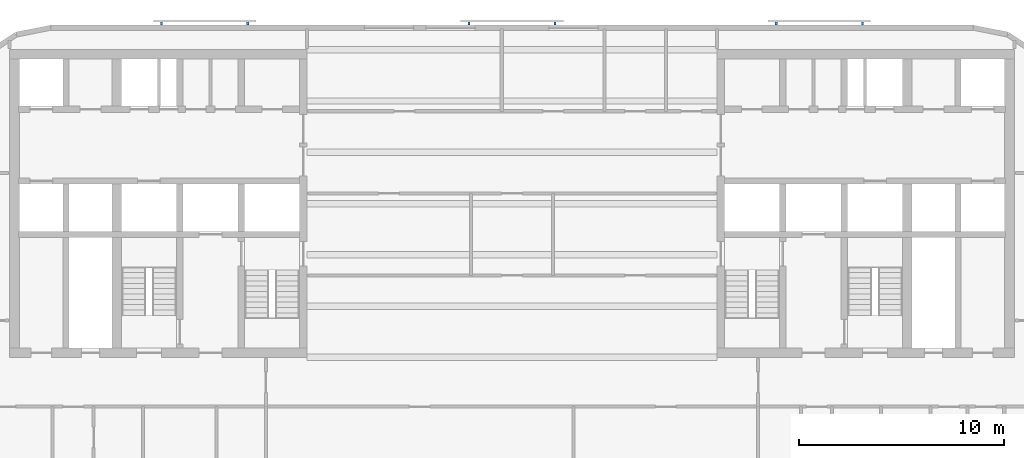
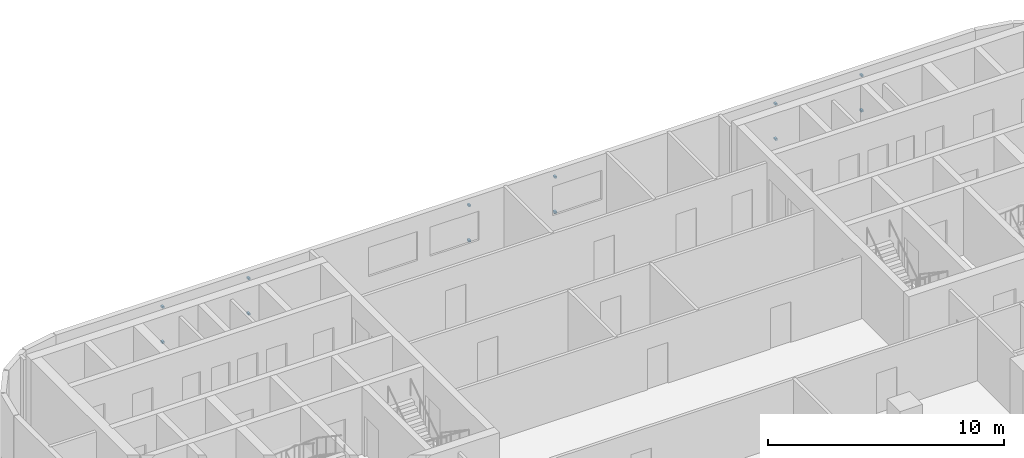
# One storey, part 8 of 11: 12 discrete accessories.
"""IFC4 building model written with IfcOpenShell, lengths in metres."""

from ifc_helpers import new_model, si_unit, direction, frame, origin, origin_2d, place, context, subcontext, project, spatial, rectangle, extrude, material, type_object, element, save


model = new_model("IFC4")

# Units and contexts
model_context = context("Model", 3, precision=1e-05, world=origin(), true_north=direction((0.0, 1.0)))
body_context = subcontext(model_context, "Body", "Model", "MODEL_VIEW")
ifc_project = project(units=[si_unit("LENGTHUNIT", "METRE"), si_unit("AREAUNIT", "SQUARE_METRE"), si_unit("VOLUMEUNIT", "CUBIC_METRE"), si_unit("PLANEANGLEUNIT", "RADIAN"), si_unit("MASSUNIT", "GRAM", prefix="KILO")], contexts=[model_context])

# Site, building, storey
site_placement = place(None, origin())
site = spatial("IfcSite", under=ifc_project, at=site_placement, CompositionType="ELEMENT")
building_placement = place(site_placement, origin())
building = spatial("IfcBuilding", under=site, at=building_placement, Name="Torana Hotel and Residences", CompositionType="ELEMENT")
storey_placement = place(building_placement, frame((0.0, 0.0, 211.60009765625)))
storey = spatial("IfcBuildingStorey", under=building, at=storey_placement, Name="L55", CompositionType="ELEMENT", Elevation=211.60009765625)

# Discrete accessories
ifc_material = material(Name="Steel S355", Category="steel")
discrete_accessory_type = type_object("IfcDiscreteAccessoryType", Name="SCREEN BRACKET 100", PredefinedType="BRACKET", material=ifc_material)
for number, where, z_axis, x_axis, name in (
    (1, (17.08349609375, 1.27490234375, 0.749755859375), (0.0, 0.0, 1.0), (-1.0, 0.0, 0.0), "Screen bracket L55"),
    (2, (17.08349609375, 1.27490234375, 2.56982421875), (0.0, 0.0, 1.0), (-1.0, 0.0, 0.0), "Screen bracket L55"),
    (3, (12.883544921875, 1.27490234375, 0.749755859375), (0.0, 0.0, 1.0), (-1.0, 0.0, 0.0), "Screen bracket L55"),
    (4, (12.883544921875, 1.27490234375, 2.56982421875), (0.0, 0.0, 1.0), (-1.0, 0.0, 0.0), "Screen bracket L55"),
    (5, (2.10009765625, 1.27490234375, 0.749755859375), (0.0, 0.0, 1.0), (-1.0, 0.0, 0.0), "Screen bracket L55"),
    (6, (2.10009765625, 1.27490234375, 2.56982421875), (0.0, 0.0, 1.0), (-1.0, 0.0, 0.0), "Screen bracket L55"),
    (7, (-2.10009765625, 1.27490234375, 0.749755859375), (0.0, 0.0, 1.0), (-1.0, 0.0, 0.0), "Screen bracket L55"),
    (8, (-2.10009765625, 1.27490234375, 2.56982421875), (0.0, 0.0, 1.0), (-1.0, 0.0, 0.0), "Screen bracket L55"),
    (9, (-12.883544921875, 1.27490234375, 0.749755859375), (0.0, 0.0, 1.0), (-1.0, 0.0, 0.0), "Screen bracket L55"),
    (10, (-12.883544921875, 1.27490234375, 2.56982421875), (0.0, 0.0, 1.0), (-1.0, 0.0, 0.0), "Screen bracket L55"),
    (11, (-17.08349609375, 1.27490234375, 0.749755859375), (0.0, 0.0, 1.0), (-1.0, 0.0, 0.0), "Screen bracket L55"),
    (12, (-17.08349609375, 1.27490234375, 2.56982421875), (0.0, 0.0, 1.0), (-1.0, 0.0, 0.0), "Screen bracket L55"),
):
    element("IfcDiscreteAccessory", number, at=place(storey_placement, frame(where, z_axis=z_axis, x_axis=x_axis)), inside=storey, type_object=discrete_accessory_type, Name=name, PredefinedType="BRACKET", context=body_context, shape_type="SweptSolid", body=[
        extrude(rectangle(XDim=0.10009765625, YDim=0.14990234375, at=origin_2d()), origin(), (0.0, 0.0, 1.0), 0.10009765625),
    ])

save(model, "model.ifc")
